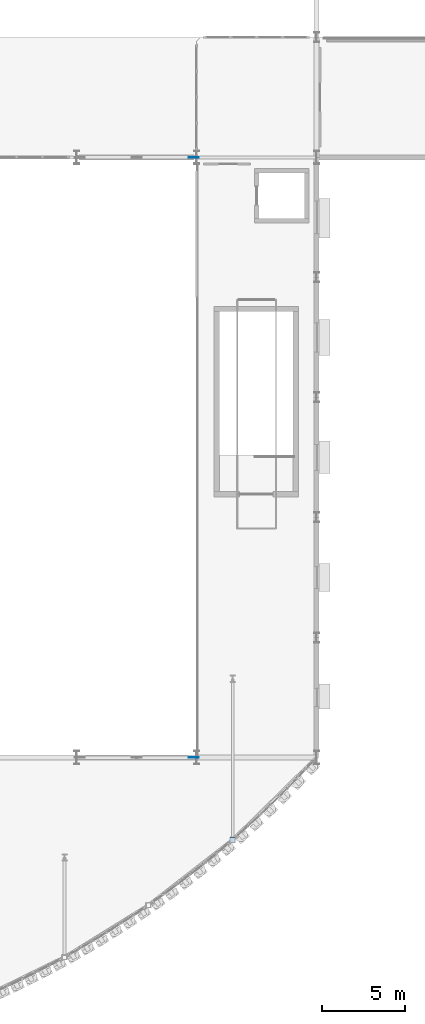
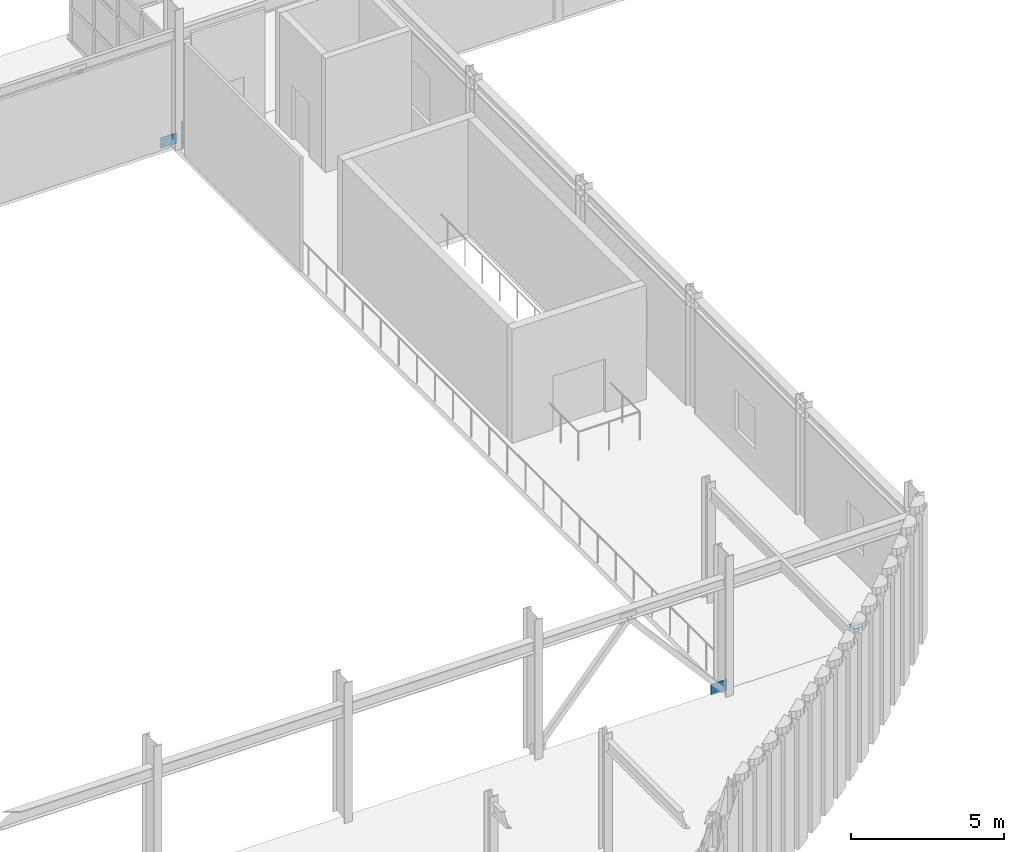
# One storey, part 102 of 126: 3 plates.
"""IFC4 building model written with IfcOpenShell, lengths in metres."""

from ifc_helpers import new_model, si_unit, direction, frame, origin, origin_2d, place, context, subcontext, project, spatial, rectangle, extrude, material, layer, layer_set, type_object, element, save


model = new_model("IFC4")

# Units and contexts
model_context = context("Model", 3, precision=1e-05, world=origin(), true_north=direction((0.0, 1.0)))
body_context = subcontext(model_context, "Body", "Model", "MODEL_VIEW")
ifc_project = project(units=[si_unit("LENGTHUNIT", "METRE"), si_unit("AREAUNIT", "SQUARE_METRE"), si_unit("VOLUMEUNIT", "CUBIC_METRE"), si_unit("PLANEANGLEUNIT", "RADIAN"), si_unit("MASSUNIT", "GRAM", prefix="KILO")], contexts=[model_context])

# Site, building, storey
site_placement = place(None, origin())
site = spatial("IfcSite", under=ifc_project, at=site_placement, CompositionType="ELEMENT")
building_placement = place(site_placement, origin())
building = spatial("IfcBuilding", under=site, at=building_placement, Name="Solvadek Multi-Sports Hall", CompositionType="ELEMENT")
storey_placement = place(building_placement, frame((0.0, 0.0, 9.60009765625)))
storey = spatial("IfcBuildingStorey", under=building, at=storey_placement, Name="L02", CompositionType="ELEMENT", Elevation=9.60009765625)

# Plates
ifc_material = material(Name="Steel E350 (350 MPa)", Category="steel")
ifc_layer_1 = layer(ifc_material, 0.02001953125, Name="Steel E350 (350 MPa)")
ifc_layer_set_1 = layer_set([ifc_layer_1], Name="Steel E350 (350 MPa)")
plate_type_1 = type_object("IfcPlateType", Name="STR-PLT-CAP340", PredefinedType="USERDEFINED", material=ifc_layer_set_1)
plate_placement = place(storey_placement, frame((131.760009765625, 1.05615234375, 4.7998046875), z_axis=(0.0, 0.0, 1.0), x_axis=(1.0, 0.0, 0.0)))
element("IfcPlate", 1, at=plate_placement, inside=storey, type_object=plate_type_1, Name="Hollow Column End Cap #317", ObjectType="BASE_PLATE", PredefinedType="USERDEFINED", context=body_context, shape_type="SweptSolid", body=[
    extrude(rectangle(XDim=0.340087890625, YDim=0.340087890625, at=origin_2d()), origin(), (0.0, 0.0, 1.0), 0.02001953125),
])
ifc_layer_2 = layer(ifc_material, 0.02392578125, Name="Steel E350 (350 MPa)")
ifc_layer_set_2 = layer_set([ifc_layer_2], Name="Steel E350 (350 MPa)")
plate_type_2 = type_object("IfcPlateType", Name="STR-PLT-GUS600", PredefinedType="USERDEFINED", material=ifc_layer_set_2)
for number, where, z_axis, x_axis, name in (
    (2, (129.419921875, 6.0, -0.030029296875), (0.0, 0.0, 1.0), (1.0, 0.0, 0.0), "L02 Chevron Brace Gusset Plate #291"),
    (3, (129.419921875, 42.0, -0.030029296875), (0.0, 0.0, 1.0), (1.0, 0.0, 0.0), "L02 Chevron Brace Gusset Plate #297"),
):
    element("IfcPlate", number, at=place(storey_placement, frame(where, z_axis=z_axis, x_axis=x_axis)), inside=storey, type_object=plate_type_2, Name=name, ObjectType="GUSSET_PLATE", PredefinedType="USERDEFINED", context=body_context, shape_type="SweptSolid", body=[
        extrude(rectangle(XDim=0.60009765625, YDim=0.02392578125, at=origin_2d()), origin(), (0.0, 0.0, 1.0), 0.419921875),
    ])

save(model, "model.ifc")
